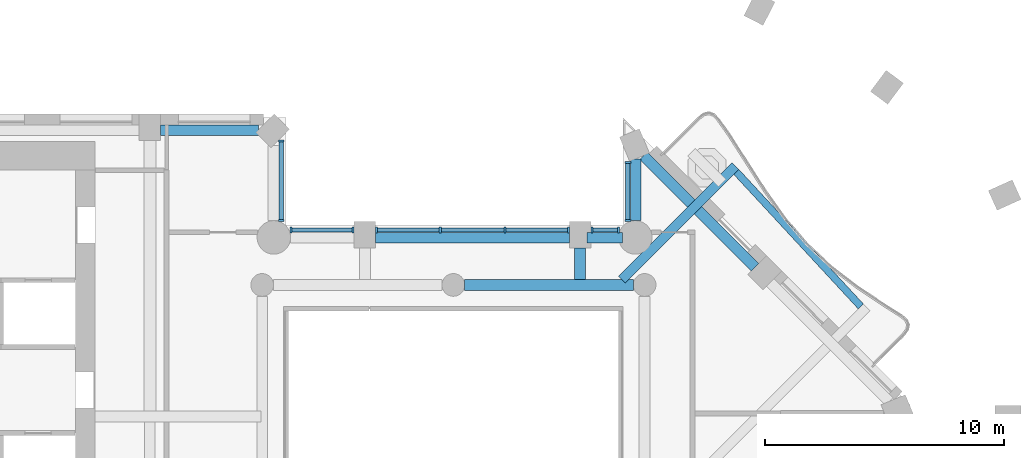
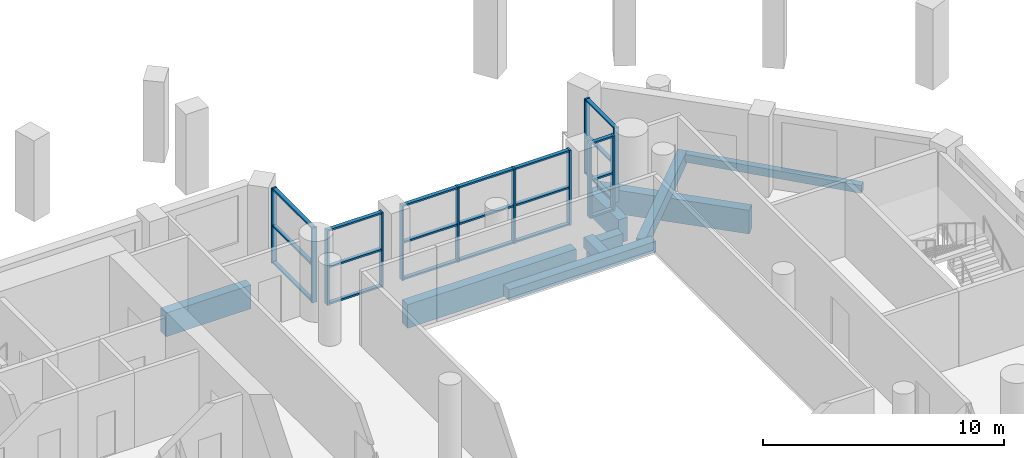
# One storey, part 2 of 15: 33 members, 9 beams, 5 elements without a shape of their own.
"""IFC4 building model written with IfcOpenShell, lengths in metres."""

import ifcopenshell
import ifcopenshell.guid

model = None  # the IFC model being written
_history = None  # IfcOwnerHistory: only IFC2X3 demands one
_inside = {}  # id of a spatial element -> (the spatial element, [elements in it])
_under = {}  # id of a project, library or spatial element -> (it, [spatial elements below it])
_declared = {}  # id of a project -> (the project, [libraries it declares])
_typed = {}  # id of a type object -> (the type object, [elements of that type])
_made_of = {}  # id of a material, layer set ... -> (it, [elements and type objects made of it])


def new_model(schema):
    """Start an empty IFC model of exactly this schema.

    Asked for "IFC4X3", IfcOpenShell would pick the latest addendum, in which some entities
    have other attributes; the version numbers below select the first issue.
    IFC2X3 requires an IfcOwnerHistory on every rooted entity: one is made here for all.
    """
    global model, _history
    if schema == "IFC4X3":
        model = ifcopenshell.file(schema_version=(4, 3, 0, 0))
    else:
        model = ifcopenshell.file(schema=schema)
    _inside.clear()
    _under.clear()
    _declared.clear()
    _typed.clear()
    _made_of.clear()
    _history = None
    if model.schema == "IFC2X3":
        org = make("IfcOrganization", Name="unknown")
        user = make(
            "IfcPersonAndOrganization",
            ThePerson=make("IfcPerson", FamilyName="unknown"),
            TheOrganization=org,
        )
        app = make(
            "IfcApplication",
            ApplicationDeveloper=org,
            Version="unknown",
            ApplicationFullName="unknown",
            ApplicationIdentifier="unknown",
        )
        _history = make(
            "IfcOwnerHistory",
            OwningUser=user,
            OwningApplication=app,
            ChangeAction="ADDED",
            CreationDate=0,
        )
    return model


def make(cls, **values):
    """One entity of the class cls with the attributes given. An attribute that is None is left unset."""
    return model.create_entity(
        cls, **{name: value for name, value in values.items() if value is not None}
    )


def rooted(cls, **values):
    """An entity with a GlobalId (a new one), such as an element, a storey or a relation."""
    return make(cls, GlobalId=ifcopenshell.guid.new(), OwnerHistory=_history, **values)


def si_unit(unit_type, name, prefix=None):
    """IfcSIUnit, for example si_unit("LENGTHUNIT", "METRE", prefix="MILLI")."""
    return make("IfcSIUnit", UnitType=unit_type, Prefix=prefix, Name=name)


def assignment(units):
    """IfcUnitAssignment: the units of a project."""
    return None if units is None else make("IfcUnitAssignment", Units=units)


def point(xyz):
    """IfcCartesianPoint."""
    return None if xyz is None else make("IfcCartesianPoint", Coordinates=xyz)


def direction(xyz):
    """IfcDirection."""
    return None if xyz is None else make("IfcDirection", DirectionRatios=xyz)


def frame(location, z_axis=None, x_axis=None):
    """IfcAxis2Placement3D, a coordinate frame: its origin and axes. An axis left out is left unset."""
    return make(
        "IfcAxis2Placement3D",
        Location=point(location),
        Axis=direction(z_axis),
        RefDirection=direction(x_axis),
    )


def frame_2d(location, x_axis=None):
    """IfcAxis2Placement2D, a coordinate frame in the plane: its origin and x axis."""
    return make(
        "IfcAxis2Placement2D", Location=point(location), RefDirection=direction(x_axis)
    )


def origin():
    """The frame at (0, 0, 0) with its axes left unset."""
    return frame((0.0, 0.0, 0.0))


def origin_2d():
    """The frame at (0, 0) in the plane with its x axis left unset."""
    return frame_2d((0.0, 0.0))


def place(relative_to, where):
    """IfcLocalPlacement: puts the frame where relative to a parent placement (None: the world)."""
    return make(
        "IfcLocalPlacement", PlacementRelTo=relative_to, RelativePlacement=where
    )


def context(
    kind, dimensions, precision=None, world=None, true_north=None, identifier=None
):
    """IfcGeometricRepresentationContext, for example the 3D "Model" context."""
    return make(
        "IfcGeometricRepresentationContext",
        ContextIdentifier=identifier,
        ContextType=kind,
        CoordinateSpaceDimension=dimensions,
        Precision=precision,
        WorldCoordinateSystem=world,
        TrueNorth=true_north,
    )


def subcontext(parent, identifier, kind, view, scale=None):
    """IfcGeometricRepresentationSubContext, for example "Body" below "Model"."""
    return make(
        "IfcGeometricRepresentationSubContext",
        ContextIdentifier=identifier,
        ContextType=kind,
        ParentContext=parent,
        TargetScale=scale,
        TargetView=view,
    )


def project(units=None, contexts=None):
    """IfcProject with its units and contexts."""
    return rooted(
        "IfcProject",
        Name="project",
        RepresentationContexts=contexts,
        UnitsInContext=assignment(units),
    )


def spatial(cls, under=None, at=None, **own):
    """A site, building, storey or space (cls), placed at a placement, below another one or the project."""
    s = rooted(cls, ObjectPlacement=at, **own)
    if under is not None:
        _under.setdefault(under.id(), (under, []))[1].append(s)
    return s


def profile(cls, at=None, kind="AREA", **sizes):
    """A parametric profile (cls). Its sizes go by their IFC names, for example OverallWidth=200.0."""
    return make(cls, ProfileType=kind, Position=at, **sizes)


def rectangle(**sizes):
    """IfcRectangleProfileDef."""
    return profile("IfcRectangleProfileDef", **sizes)


def extrude(swept, where, along, depth):
    """IfcExtrudedAreaSolid: the profile swept, set in the frame where, extruded along a direction by depth."""
    return make(
        "IfcExtrudedAreaSolid",
        SweptArea=swept,
        Position=where,
        ExtrudedDirection=direction(along),
        Depth=depth,
    )


def shape(context_of_items, identifier, shape_type, items):
    """IfcShapeRepresentation: the items that make up one representation, for example the "Body"."""
    return make(
        "IfcShapeRepresentation",
        ContextOfItems=context_of_items,
        RepresentationIdentifier=identifier,
        RepresentationType=shape_type,
        Items=items,
    )


def material(Name=None, Category=None):
    """IfcMaterial."""
    return make("IfcMaterial", Name=Name, Category=Category)


def material_profile(
    of_material, cross_section, Name=None, Category=None, Priority=None
):
    """IfcMaterialProfile: a cross section and its material."""
    return make(
        "IfcMaterialProfile",
        Name=Name,
        Material=of_material,
        Profile=cross_section,
        Priority=Priority,
        Category=Category,
    )


def profile_set(profiles, Name=None, composite=None):
    """IfcMaterialProfileSet."""
    return make(
        "IfcMaterialProfileSet",
        Name=Name,
        MaterialProfiles=profiles,
        CompositeProfile=composite,
    )


def made_of(thing, what):
    """Note that an element or type object is made of a material, layer set ...; save() writes the relation."""
    if what is not None:
        _made_of.setdefault(what.id(), (what, []))[1].append(thing)
    return thing


def type_object(cls, material=None, **own):
    """A type object (cls), such as IfcWallType, which elements share."""
    return made_of(rooted(cls, **own), material)


def element(
    cls,
    number,
    at=None,
    inside=None,
    cuts=None,
    type_object=None,
    material=None,
    context=None,
    identifier="Body",
    shape_type=None,
    held_by="IfcProductDefinitionShape",
    body=None,
    shapes=None,
    **own,
):
    """One element of the class cls, such as IfcWall. Its Tag is "e" and its number.

    at: its placement. inside: the storey or other place that contains it. cuts: it is an
    opening in that element (IfcRelVoidsElement). A single representation is given by context,
    identifier, shape_type and body (its items); several are given by shapes. held_by: the class
    of the entity that holds the representations. save() writes the other relations.
    """
    e = rooted(cls, Tag="e%d" % number, ObjectPlacement=at, **own)
    if body is not None:
        shapes = [shape(context, identifier, shape_type, body)]
    if shapes is not None:
        e.Representation = make(held_by, Representations=shapes)
    if inside is not None:
        _inside.setdefault(inside.id(), (inside, []))[1].append(e)
    if cuts is not None:
        rooted(
            "IfcRelVoidsElement", RelatingBuildingElement=cuts, RelatedOpeningElement=e
        )
    if type_object is not None:
        _typed.setdefault(type_object.id(), (type_object, []))[1].append(e)
    return made_of(e, material)


def aggregate(whole, parts):
    """IfcRelAggregates: a whole, such as a stair, and the parts it consists of."""
    return rooted("IfcRelAggregates", RelatingObject=whole, RelatedObjects=parts)


def save(model, path):
    """Write the relations noted so far, then the file.

    IfcRelAggregates (storeys below a building ...), IfcRelContainedInSpatialStructure (elements
    in a storey), IfcRelDefinesByType, IfcRelAssociatesMaterial and IfcRelDeclares: one each for
    every whole, place, type object, material and project.
    """
    for whole, parts in _under.values():
        aggregate(whole, parts)
    for where, things in _inside.values():
        rooted(
            "IfcRelContainedInSpatialStructure",
            RelatedElements=things,
            RelatingStructure=where,
        )
    for kind, things in _typed.values():
        rooted("IfcRelDefinesByType", RelatedObjects=things, RelatingType=kind)
    for what, things in _made_of.values():
        rooted("IfcRelAssociatesMaterial", RelatedObjects=things, RelatingMaterial=what)
    for by, libraries in _declared.values():
        rooted("IfcRelDeclares", RelatingContext=by, RelatedDefinitions=libraries)
    model.write(path)


model = new_model("IFC4")

# Units and contexts
model_context = context("Model", 3, precision=1e-05, world=origin(), true_north=direction((0.0, 1.0)))
body_context = subcontext(model_context, "Body", "Model", "MODEL_VIEW")
ifc_project = project(units=[si_unit("LENGTHUNIT", "METRE"), si_unit("AREAUNIT", "SQUARE_METRE"), si_unit("VOLUMEUNIT", "CUBIC_METRE"), si_unit("PLANEANGLEUNIT", "RADIAN"), si_unit("MASSUNIT", "GRAM", prefix="KILO")], contexts=[model_context])

# Site, building, storey
site_placement = place(None, origin())
site = spatial("IfcSite", under=ifc_project, at=site_placement, CompositionType="ELEMENT")
building_placement = place(site_placement, origin())
building = spatial("IfcBuilding", under=site, at=building_placement, Name="Cypress Arch Tower", CompositionType="ELEMENT")
storey_placement = place(building_placement, frame((0.0, 0.0, 176.89990234375)))
storey = spatial("IfcBuildingStorey", under=building, at=storey_placement, Name="L38", CompositionType="ELEMENT", Elevation=176.89990234375)

# Beams
ifc_material_1 = material(Name="Concrete C50/60", Category="concrete")
ifc_material_profile_1 = material_profile(ifc_material_1, rectangle(XDim=0.300048828125, YDim=0.39990234375, at=origin_2d()), Name="RC 300x400")
ifc_profile_set_1 = profile_set([ifc_material_profile_1], Name="Concrete C50/60")
beam_type_1 = type_object("IfcBeamType", Name="Balcony edge beam RC 300x400 Concrete C50/60", PredefinedType="BEAM", material=ifc_profile_set_1)
beam_1_placement = place(storey_placement, frame((18.0439453125, 9.1025390625, -0.5), z_axis=(-0.679437876495, 0.733733038635, 0.0), x_axis=(-0.733733038635, -0.679437876495, 0.0)))
element("IfcBeam", 1, at=beam_1_placement, inside=storey, type_object=beam_type_1, Name="Balcony edge beam L38 B05", PredefinedType="BEAM", context=body_context, shape_type="SweptSolid", body=[
    extrude(rectangle(XDim=0.300048828125, YDim=0.39990234375, at=origin_2d()), origin(), (0.0, 0.0, 1.0), 7.66650390625),
])
ifc_material_2 = material(Name="Concrete C50/60", Category="concrete")
ifc_material_profile_2 = material_profile(ifc_material_2, rectangle(XDim=0.39990234375, YDim=0.64990234375, at=origin_2d()), Name="RC 400x650")
ifc_profile_set_2 = profile_set([ifc_material_profile_2], Name="Concrete C50/60")
beam_type_2 = type_object("IfcBeamType", Name="Cantilever beam RC 400x650 Concrete C50/60", PredefinedType="BEAM", material=ifc_profile_set_2)
beam_2_placement = place(storey_placement, frame((8.04931640625, 10.22509765625, -0.625), z_axis=(0.707106781187, 0.707106781187, 0.0), x_axis=(-0.707106781187, 0.707106781187, 0.0)))
element("IfcBeam", 2, at=beam_2_placement, inside=storey, type_object=beam_type_2, Name="Cantilever beam L38 B05 2", PredefinedType="BEAM", context=body_context, shape_type="SweptSolid", body=[
    extrude(rectangle(XDim=0.39990234375, YDim=0.64990234375, at=origin_2d()), origin(), (0.0, 0.0, 1.0), 6.7177734375),
])
ifc_material_3 = material(Name="Concrete C50/60", Category="concrete")
ifc_material_profile_3 = material_profile(ifc_material_3, rectangle(XDim=0.449951171875, YDim=0.550048828125, at=origin_2d()), Name="RC 450x550")
ifc_profile_set_3 = profile_set([ifc_material_profile_3], Name="Concrete C50/60")
beam_type_3 = type_object("IfcBeamType", Name="Floor beam RC 450x550 Concrete C50/60", PredefinedType="BEAM", material=ifc_profile_set_3)
beam_3_placement = place(storey_placement, frame((1.47509765625, 10.0, -0.574951171875), z_axis=(1.0, 0.0, 0.0), x_axis=(0.0, 1.0, 0.0)))
element("IfcBeam", 3, at=beam_3_placement, inside=storey, type_object=beam_type_3, Name="Floor beam L38 RB008", PredefinedType="BEAM", context=body_context, shape_type="SweptSolid", body=[
    extrude(rectangle(XDim=0.449951171875, YDim=0.550048828125, at=origin_2d()), origin(), (0.0, 0.0, 1.0), 7.0498046875),
])
beam_4_placement = place(storey_placement, frame((6.300048828125, 10.22509765625, -0.574951171875), z_axis=(0.0, 1.0, 0.0), x_axis=(-1.0, 0.0, 0.0)))
element("IfcBeam", 4, at=beam_4_placement, inside=storey, type_object=beam_type_3, Name="Floor beam L38 FB017", PredefinedType="BEAM", context=body_context, shape_type="SweptSolid", body=[
    extrude(rectangle(XDim=0.449951171875, YDim=0.550048828125, at=origin_2d()), origin(), (0.0, 0.0, 1.0), 1.324951171875),
])

# Curtain wall, members
ifc_material_4 = material(Name="Anodised aluminium, bronze finish, clear laminated double glazing", Category="aluminium")
curtain_wall_type = type_object("IfcCurtainWallType", Name="Curtain wall CW7 slot glazing", PredefinedType="NOTDEFINED", material=ifc_material_4)
curtain_wall_1_placement = place(storey_placement, origin())
curtain_wall_1 = element("IfcCurtainWall", 5, at=curtain_wall_1_placement, inside=storey, type_object=curtain_wall_type, Name="Curtain wall L38 slot B06.0", PredefinedType="NOTDEFINED")
ifc_material_5 = material(Name="Anodised aluminium, bronze finish", Category="aluminium")
ifc_material_profile_4 = material_profile(ifc_material_5, rectangle(XDim=0.239990234375, YDim=0.0849609375, at=origin_2d()), Name="Mullion 85x240")
ifc_profile_set_4 = profile_set([ifc_material_profile_4], Name="Anodised aluminium, bronze finish")
member_type_1 = type_object("IfcMemberType", Name="Mullion CW7 85x240", PredefinedType="MULLION", material=ifc_profile_set_4)
member_1_placement = place(storey_placement, frame((8.300048828125, 15.12744140625, 0.0), z_axis=(0.0, 0.0, 1.0), x_axis=(1.0, 0.0, 0.0)))
member_1 = element("IfcMember", 6, at=member_1_placement, type_object=member_type_1, Name="CW7 mullion 1", PredefinedType="MULLION", context=body_context, shape_type="SweptSolid", body=[
    extrude(rectangle(XDim=0.239990234375, YDim=0.0849609375, at=origin_2d()), origin(), (0.0, 0.0, 1.0), 3.800048828125),
])
member_2_placement = place(storey_placement, frame((8.300048828125, 12.697021484375, 0.0), z_axis=(0.0, 0.0, 1.0), x_axis=(1.0, 0.0, 0.0)))
member_2 = element("IfcMember", 7, at=member_2_placement, type_object=member_type_1, Name="CW7 mullion 2", PredefinedType="MULLION", context=body_context, shape_type="SweptSolid", body=[
    extrude(rectangle(XDim=0.239990234375, YDim=0.0849609375, at=origin_2d()), origin(), (0.0, 0.0, 1.0), 3.800048828125),
])

curtain_wall_2_placement = place(storey_placement, origin())
curtain_wall_2 = element("IfcCurtainWall", 8, at=curtain_wall_2_placement, inside=storey, type_object=curtain_wall_type, Name="Curtain wall L38 slot B07.0", PredefinedType="NOTDEFINED")
member_3_placement = place(storey_placement, frame((7.903076171875, 12.300048828125, 0.0), z_axis=(0.0, 0.0, 1.0), x_axis=(0.0, -1.0, 0.0)))
member_3 = element("IfcMember", 9, at=member_3_placement, type_object=member_type_1, Name="CW7 mullion 1", PredefinedType="MULLION", context=body_context, shape_type="SweptSolid", body=[
    extrude(rectangle(XDim=0.239990234375, YDim=0.0849609375, at=origin_2d()), origin(), (0.0, 0.0, 1.0), 3.800048828125),
])
member_4_placement = place(storey_placement, frame((6.79248046875, 12.300048828125, 0.0), z_axis=(0.0, 0.0, 1.0), x_axis=(0.0, -1.0, 0.0)))
member_4 = element("IfcMember", 10, at=member_4_placement, type_object=member_type_1, Name="CW7 mullion 2", PredefinedType="MULLION", context=body_context, shape_type="SweptSolid", body=[
    extrude(rectangle(XDim=0.239990234375, YDim=0.0849609375, at=origin_2d()), origin(), (0.0, 0.0, 1.0), 3.800048828125),
])

curtain_wall_3_placement = place(storey_placement, origin())
curtain_wall_3 = element("IfcCurtainWall", 11, at=curtain_wall_3_placement, inside=storey, type_object=curtain_wall_type, Name="Curtain wall L38 slot B07.1", PredefinedType="NOTDEFINED")
member_5_placement = place(storey_placement, frame((5.8076171875, 12.300048828125, 0.0), z_axis=(0.0, 0.0, 1.0), x_axis=(0.0, -1.0, 0.0)))
member_5 = element("IfcMember", 12, at=member_5_placement, type_object=member_type_1, Name="CW7 mullion 1", PredefinedType="MULLION", context=body_context, shape_type="SweptSolid", body=[
    extrude(rectangle(XDim=0.239990234375, YDim=0.0849609375, at=origin_2d()), origin(), (0.0, 0.0, 1.0), 3.800048828125),
])
member_6_placement = place(storey_placement, frame((3.14990234375, 12.300048828125, 0.0), z_axis=(0.0, 0.0, 1.0), x_axis=(0.0, -1.0, 0.0)))
member_6 = element("IfcMember", 13, at=member_6_placement, type_object=member_type_1, Name="CW7 mullion 2", PredefinedType="MULLION", context=body_context, shape_type="SweptSolid", body=[
    extrude(rectangle(XDim=0.239990234375, YDim=0.0849609375, at=origin_2d()), origin(), (0.0, 0.0, 1.0), 3.800048828125),
])
member_7_placement = place(storey_placement, frame((0.449951171875, 12.300048828125, 0.0), z_axis=(0.0, 0.0, 1.0), x_axis=(0.0, -1.0, 0.0)))
member_7 = element("IfcMember", 14, at=member_7_placement, type_object=member_type_1, Name="CW7 mullion 3", PredefinedType="MULLION", context=body_context, shape_type="SweptSolid", body=[
    extrude(rectangle(XDim=0.239990234375, YDim=0.0849609375, at=origin_2d()), origin(), (0.0, 0.0, 1.0), 3.800048828125),
])
member_8_placement = place(storey_placement, frame((-2.20751953125, 12.300048828125, 0.0), z_axis=(0.0, 0.0, 1.0), x_axis=(0.0, -1.0, 0.0)))
member_8 = element("IfcMember", 15, at=member_8_placement, type_object=member_type_1, Name="CW7 mullion 4", PredefinedType="MULLION", context=body_context, shape_type="SweptSolid", body=[
    extrude(rectangle(XDim=0.239990234375, YDim=0.0849609375, at=origin_2d()), origin(), (0.0, 0.0, 1.0), 3.800048828125),
])

curtain_wall_4_placement = place(storey_placement, origin())
curtain_wall_4 = element("IfcCurtainWall", 16, at=curtain_wall_4_placement, inside=storey, type_object=curtain_wall_type, Name="Curtain wall L38 slot B07.2", PredefinedType="NOTDEFINED")
member_9_placement = place(storey_placement, frame((-3.1923828125, 12.300048828125, 0.0), z_axis=(0.0, 0.0, 1.0), x_axis=(0.0, -1.0, 0.0)))
member_9 = element("IfcMember", 17, at=member_9_placement, type_object=member_type_1, Name="CW7 mullion 1", PredefinedType="MULLION", context=body_context, shape_type="SweptSolid", body=[
    extrude(rectangle(XDim=0.239990234375, YDim=0.0849609375, at=origin_2d()), origin(), (0.0, 0.0, 1.0), 3.800048828125),
])
member_10_placement = place(storey_placement, frame((-5.802978515625, 12.300048828125, 0.0), z_axis=(0.0, 0.0, 1.0), x_axis=(0.0, -1.0, 0.0)))
member_10 = element("IfcMember", 18, at=member_10_placement, type_object=member_type_1, Name="CW7 mullion 2", PredefinedType="MULLION", context=body_context, shape_type="SweptSolid", body=[
    extrude(rectangle(XDim=0.239990234375, YDim=0.0849609375, at=origin_2d()), origin(), (0.0, 0.0, 1.0), 3.800048828125),
])

curtain_wall_5_placement = place(storey_placement, origin())
curtain_wall_5 = element("IfcCurtainWall", 19, at=curtain_wall_5_placement, inside=storey, type_object=curtain_wall_type, Name="Curtain wall L38 slot B08.0", PredefinedType="NOTDEFINED")
member_11_placement = place(storey_placement, frame((-6.199951171875, 12.697021484375, 0.0), z_axis=(0.0, 0.0, 1.0), x_axis=(-1.0, 0.0, 0.0)))
member_11 = element("IfcMember", 20, at=member_11_placement, type_object=member_type_1, Name="CW7 mullion 1", PredefinedType="MULLION", context=body_context, shape_type="SweptSolid", body=[
    extrude(rectangle(XDim=0.239990234375, YDim=0.0849609375, at=origin_2d()), origin(), (0.0, 0.0, 1.0), 3.800048828125),
])
member_12_placement = place(storey_placement, frame((-6.199951171875, 16.02099609375, 0.0), z_axis=(0.0, 0.0, 1.0), x_axis=(-1.0, 0.0, 0.0)))
member_12 = element("IfcMember", 21, at=member_12_placement, type_object=member_type_1, Name="CW7 mullion 2", PredefinedType="MULLION", context=body_context, shape_type="SweptSolid", body=[
    extrude(rectangle(XDim=0.239990234375, YDim=0.0849609375, at=origin_2d()), origin(), (0.0, 0.0, 1.0), 3.800048828125),
])

# Beams
ifc_material_6 = material(Name="Concrete C50/60", Category="concrete")
ifc_material_profile_5 = material_profile(ifc_material_6, rectangle(XDim=0.449951171875, YDim=1.199951171875, at=origin_2d()), Name="RC 450x1200")
ifc_profile_set_5 = profile_set([ifc_material_profile_5], Name="Concrete C50/60")
beam_type_4 = type_object("IfcBeamType", Name="Spandrel beam RC 450x1200 Concrete C50/60", PredefinedType="SPANDREL", material=ifc_profile_set_5)
beam_5_placement = place(storey_placement, frame((13.622802734375, 10.73486328125, -1.5498046875), z_axis=(-0.707106781187, 0.707106781187, 0.0), x_axis=(-0.707106781187, -0.707106781187, 0.0)))
element("IfcBeam", 22, at=beam_5_placement, inside=storey, type_object=beam_type_4, Name="Spandrel beam L38 BB05-1", PredefinedType="SPANDREL", context=body_context, shape_type="SweptSolid", body=[
    extrude(rectangle(XDim=0.449951171875, YDim=1.199951171875, at=origin_2d()), origin(), (0.0, 0.0, 1.0), 6.610595703125),
])
beam_6_placement = place(storey_placement, frame((8.625, 15.275146484375, -1.5498046875), z_axis=(0.0, -1.0, 0.0), x_axis=(1.0, 0.0, 0.0)))
element("IfcBeam", 23, at=beam_6_placement, inside=storey, type_object=beam_type_4, Name="Spandrel beam L38 BB06-0", PredefinedType="SPANDREL", context=body_context, shape_type="SweptSolid", body=[
    extrude(rectangle(XDim=0.449951171875, YDim=1.199951171875, at=origin_2d()), origin(), (0.0, 0.0, 1.0), 2.587646484375),
])
beam_7_placement = place(storey_placement, frame((8.081298828125, 11.97509765625, -1.5498046875), z_axis=(-1.0, 0.0, 0.0), x_axis=(0.0, -1.0, 0.0)))
element("IfcBeam", 24, at=beam_7_placement, inside=storey, type_object=beam_type_4, Name="Spandrel beam L38 BB07-0", PredefinedType="SPANDREL", context=body_context, shape_type="SweptSolid", body=[
    extrude(rectangle(XDim=0.449951171875, YDim=1.199951171875, at=origin_2d()), origin(), (0.0, 0.0, 1.0), 1.5),
])
beam_8_placement = place(storey_placement, frame((5.85009765625, 11.97509765625, -1.5498046875), z_axis=(-1.0, 0.0, 0.0), x_axis=(0.0, -1.0, 0.0)))
element("IfcBeam", 25, at=beam_8_placement, inside=storey, type_object=beam_type_4, Name="Spandrel beam L38 BB07-1", PredefinedType="SPANDREL", context=body_context, shape_type="SweptSolid", body=[
    extrude(rectangle(XDim=0.449951171875, YDim=1.199951171875, at=origin_2d()), origin(), (0.0, 0.0, 1.0), 8.10009765625),
])
beam_9_placement = place(storey_placement, frame((-7.161376953125, 16.47509765625, -1.5498046875), z_axis=(-1.0, 0.0, 0.0), x_axis=(0.0, -1.0, 0.0)))
element("IfcBeam", 26, at=beam_9_placement, inside=storey, type_object=beam_type_4, Name="Spandrel beam L38 BB09-0", PredefinedType="SPANDREL", context=body_context, shape_type="SweptSolid", body=[
    extrude(rectangle(XDim=0.449951171875, YDim=1.199951171875, at=origin_2d()), origin(), (0.0, 0.0, 1.0), 4.088623046875),
])

# Member
ifc_material_7 = material(Name="Anodised aluminium, bronze finish", Category="aluminium")
ifc_material_profile_6 = material_profile(ifc_material_7, rectangle(XDim=0.179931640625, YDim=0.0849609375, at=origin_2d()), Name="Transom 85x180")
ifc_profile_set_6 = profile_set([ifc_material_profile_6], Name="Anodised aluminium, bronze finish")
member_type_2 = type_object("IfcMemberType", Name="Transom CW7 85x180", PredefinedType="USERDEFINED", material=ifc_profile_set_6)
member_13_placement = place(storey_placement, frame((8.300048828125, 15.0849609375, 0.04248046875), z_axis=(0.0, -1.0, 0.0), x_axis=(1.0, 0.0, 0.0)))
member_13 = element("IfcMember", 27, at=member_13_placement, type_object=member_type_2, Name="CW7 transom 1.1", ObjectType="TRANSOM", PredefinedType="USERDEFINED", context=body_context, shape_type="SweptSolid", body=[
    extrude(rectangle(XDim=0.179931640625, YDim=0.0849609375, at=origin_2d()), origin(), (0.0, 0.0, 1.0), 2.345458984375),
])

member_14_placement = place(storey_placement, frame((8.300048828125, 15.0849609375, 1.900146484375), z_axis=(0.0, -1.0, 0.0), x_axis=(1.0, 0.0, 0.0)))
member_14 = element("IfcMember", 28, at=member_14_placement, type_object=member_type_2, Name="CW7 transom 1.2", ObjectType="TRANSOM", PredefinedType="USERDEFINED", context=body_context, shape_type="SweptSolid", body=[
    extrude(rectangle(XDim=0.179931640625, YDim=0.0849609375, at=origin_2d()), origin(), (0.0, 0.0, 1.0), 2.345458984375),
])

member_15_placement = place(storey_placement, frame((8.300048828125, 15.0849609375, 3.757568359375), z_axis=(0.0, -1.0, 0.0), x_axis=(1.0, 0.0, 0.0)))
member_15 = element("IfcMember", 29, at=member_15_placement, type_object=member_type_2, Name="CW7 transom 1.3", ObjectType="TRANSOM", PredefinedType="USERDEFINED", context=body_context, shape_type="SweptSolid", body=[
    extrude(rectangle(XDim=0.179931640625, YDim=0.0849609375, at=origin_2d()), origin(), (0.0, 0.0, 1.0), 2.345458984375),
])

aggregate(curtain_wall_1, [member_1, member_2, member_13, member_14, member_15])

member_16_placement = place(storey_placement, frame((7.8603515625, 12.300048828125, 0.04248046875), z_axis=(-1.0, 0.0, 0.0), x_axis=(0.0, -1.0, 0.0)))
member_16 = element("IfcMember", 30, at=member_16_placement, type_object=member_type_2, Name="CW7 transom 1.1", ObjectType="TRANSOM", PredefinedType="USERDEFINED", context=body_context, shape_type="SweptSolid", body=[
    extrude(rectangle(XDim=0.179931640625, YDim=0.0849609375, at=origin_2d()), origin(), (0.0, 0.0, 1.0), 1.025390625),
])

member_17_placement = place(storey_placement, frame((7.8603515625, 12.300048828125, 1.900146484375), z_axis=(-1.0, 0.0, 0.0), x_axis=(0.0, -1.0, 0.0)))
member_17 = element("IfcMember", 31, at=member_17_placement, type_object=member_type_2, Name="CW7 transom 1.2", ObjectType="TRANSOM", PredefinedType="USERDEFINED", context=body_context, shape_type="SweptSolid", body=[
    extrude(rectangle(XDim=0.179931640625, YDim=0.0849609375, at=origin_2d()), origin(), (0.0, 0.0, 1.0), 1.025390625),
])

member_18_placement = place(storey_placement, frame((7.8603515625, 12.300048828125, 3.757568359375), z_axis=(-1.0, 0.0, 0.0), x_axis=(0.0, -1.0, 0.0)))
member_18 = element("IfcMember", 32, at=member_18_placement, type_object=member_type_2, Name="CW7 transom 1.3", ObjectType="TRANSOM", PredefinedType="USERDEFINED", context=body_context, shape_type="SweptSolid", body=[
    extrude(rectangle(XDim=0.179931640625, YDim=0.0849609375, at=origin_2d()), origin(), (0.0, 0.0, 1.0), 1.025390625),
])

aggregate(curtain_wall_2, [member_3, member_4, member_16, member_17, member_18])

member_19_placement = place(storey_placement, frame((5.764892578125, 12.300048828125, 0.04248046875), z_axis=(-1.0, 0.0, 0.0), x_axis=(0.0, -1.0, 0.0)))
member_19 = element("IfcMember", 33, at=member_19_placement, type_object=member_type_2, Name="CW7 transom 1.1", ObjectType="TRANSOM", PredefinedType="USERDEFINED", context=body_context, shape_type="SweptSolid", body=[
    extrude(rectangle(XDim=0.179931640625, YDim=0.0849609375, at=origin_2d()), origin(), (0.0, 0.0, 1.0), 2.572509765625),
])

member_20_placement = place(storey_placement, frame((5.764892578125, 12.300048828125, 1.900146484375), z_axis=(-1.0, 0.0, 0.0), x_axis=(0.0, -1.0, 0.0)))
member_20 = element("IfcMember", 34, at=member_20_placement, type_object=member_type_2, Name="CW7 transom 1.2", ObjectType="TRANSOM", PredefinedType="USERDEFINED", context=body_context, shape_type="SweptSolid", body=[
    extrude(rectangle(XDim=0.179931640625, YDim=0.0849609375, at=origin_2d()), origin(), (0.0, 0.0, 1.0), 2.572509765625),
])

member_21_placement = place(storey_placement, frame((5.764892578125, 12.300048828125, 3.757568359375), z_axis=(-1.0, 0.0, 0.0), x_axis=(0.0, -1.0, 0.0)))
member_21 = element("IfcMember", 35, at=member_21_placement, type_object=member_type_2, Name="CW7 transom 1.3", ObjectType="TRANSOM", PredefinedType="USERDEFINED", context=body_context, shape_type="SweptSolid", body=[
    extrude(rectangle(XDim=0.179931640625, YDim=0.0849609375, at=origin_2d()), origin(), (0.0, 0.0, 1.0), 2.572509765625),
])

member_22_placement = place(storey_placement, frame((3.107421875, 12.300048828125, 0.04248046875), z_axis=(-1.0, 0.0, 0.0), x_axis=(0.0, -1.0, 0.0)))
member_22 = element("IfcMember", 36, at=member_22_placement, type_object=member_type_2, Name="CW7 transom 2.1", ObjectType="TRANSOM", PredefinedType="USERDEFINED", context=body_context, shape_type="SweptSolid", body=[
    extrude(rectangle(XDim=0.179931640625, YDim=0.0849609375, at=origin_2d()), origin(), (0.0, 0.0, 1.0), 2.614990234375),
])

member_23_placement = place(storey_placement, frame((3.107421875, 12.300048828125, 1.900146484375), z_axis=(-1.0, 0.0, 0.0), x_axis=(0.0, -1.0, 0.0)))
member_23 = element("IfcMember", 37, at=member_23_placement, type_object=member_type_2, Name="CW7 transom 2.2", ObjectType="TRANSOM", PredefinedType="USERDEFINED", context=body_context, shape_type="SweptSolid", body=[
    extrude(rectangle(XDim=0.179931640625, YDim=0.0849609375, at=origin_2d()), origin(), (0.0, 0.0, 1.0), 2.614990234375),
])

member_24_placement = place(storey_placement, frame((3.107421875, 12.300048828125, 3.757568359375), z_axis=(-1.0, 0.0, 0.0), x_axis=(0.0, -1.0, 0.0)))
member_24 = element("IfcMember", 38, at=member_24_placement, type_object=member_type_2, Name="CW7 transom 2.3", ObjectType="TRANSOM", PredefinedType="USERDEFINED", context=body_context, shape_type="SweptSolid", body=[
    extrude(rectangle(XDim=0.179931640625, YDim=0.0849609375, at=origin_2d()), origin(), (0.0, 0.0, 1.0), 2.614990234375),
])

member_25_placement = place(storey_placement, frame((0.407470703125, 12.300048828125, 0.04248046875), z_axis=(-1.0, 0.0, 0.0), x_axis=(0.0, -1.0, 0.0)))
member_25 = element("IfcMember", 39, at=member_25_placement, type_object=member_type_2, Name="CW7 transom 3.1", ObjectType="TRANSOM", PredefinedType="USERDEFINED", context=body_context, shape_type="SweptSolid", body=[
    extrude(rectangle(XDim=0.179931640625, YDim=0.0849609375, at=origin_2d()), origin(), (0.0, 0.0, 1.0), 2.572509765625),
])

member_26_placement = place(storey_placement, frame((0.407470703125, 12.300048828125, 1.900146484375), z_axis=(-1.0, 0.0, 0.0), x_axis=(0.0, -1.0, 0.0)))
member_26 = element("IfcMember", 40, at=member_26_placement, type_object=member_type_2, Name="CW7 transom 3.2", ObjectType="TRANSOM", PredefinedType="USERDEFINED", context=body_context, shape_type="SweptSolid", body=[
    extrude(rectangle(XDim=0.179931640625, YDim=0.0849609375, at=origin_2d()), origin(), (0.0, 0.0, 1.0), 2.572509765625),
])

member_27_placement = place(storey_placement, frame((0.407470703125, 12.300048828125, 3.757568359375), z_axis=(-1.0, 0.0, 0.0), x_axis=(0.0, -1.0, 0.0)))
member_27 = element("IfcMember", 41, at=member_27_placement, type_object=member_type_2, Name="CW7 transom 3.3", ObjectType="TRANSOM", PredefinedType="USERDEFINED", context=body_context, shape_type="SweptSolid", body=[
    extrude(rectangle(XDim=0.179931640625, YDim=0.0849609375, at=origin_2d()), origin(), (0.0, 0.0, 1.0), 2.572509765625),
])

aggregate(curtain_wall_3, [member_5, member_6, member_7, member_8, member_19, member_20, member_21, member_22, member_23, member_24, member_25, member_26, member_27])

member_28_placement = place(storey_placement, frame((-3.235107421875, 12.300048828125, 0.04248046875), z_axis=(-1.0, 0.0, 0.0), x_axis=(0.0, -1.0, 0.0)))
member_28 = element("IfcMember", 42, at=member_28_placement, type_object=member_type_2, Name="CW7 transom 1.1", ObjectType="TRANSOM", PredefinedType="USERDEFINED", context=body_context, shape_type="SweptSolid", body=[
    extrude(rectangle(XDim=0.179931640625, YDim=0.0849609375, at=origin_2d()), origin(), (0.0, 0.0, 1.0), 2.525390625),
])

member_29_placement = place(storey_placement, frame((-3.235107421875, 12.300048828125, 1.900146484375), z_axis=(-1.0, 0.0, 0.0), x_axis=(0.0, -1.0, 0.0)))
member_29 = element("IfcMember", 43, at=member_29_placement, type_object=member_type_2, Name="CW7 transom 1.2", ObjectType="TRANSOM", PredefinedType="USERDEFINED", context=body_context, shape_type="SweptSolid", body=[
    extrude(rectangle(XDim=0.179931640625, YDim=0.0849609375, at=origin_2d()), origin(), (0.0, 0.0, 1.0), 2.525390625),
])

member_30_placement = place(storey_placement, frame((-3.235107421875, 12.300048828125, 3.757568359375), z_axis=(-1.0, 0.0, 0.0), x_axis=(0.0, -1.0, 0.0)))
member_30 = element("IfcMember", 44, at=member_30_placement, type_object=member_type_2, Name="CW7 transom 1.3", ObjectType="TRANSOM", PredefinedType="USERDEFINED", context=body_context, shape_type="SweptSolid", body=[
    extrude(rectangle(XDim=0.179931640625, YDim=0.0849609375, at=origin_2d()), origin(), (0.0, 0.0, 1.0), 2.525390625),
])

aggregate(curtain_wall_4, [member_9, member_10, member_28, member_29, member_30])

member_31_placement = place(storey_placement, frame((-6.199951171875, 12.739501953125, 0.04248046875), z_axis=(0.0, 1.0, 0.0), x_axis=(-1.0, 0.0, 0.0)))
member_31 = element("IfcMember", 45, at=member_31_placement, type_object=member_type_2, Name="CW7 transom 1.1", ObjectType="TRANSOM", PredefinedType="USERDEFINED", context=body_context, shape_type="SweptSolid", body=[
    extrude(rectangle(XDim=0.179931640625, YDim=0.0849609375, at=origin_2d()), origin(), (0.0, 0.0, 1.0), 3.239013671875),
])

member_32_placement = place(storey_placement, frame((-6.199951171875, 12.739501953125, 1.900146484375), z_axis=(0.0, 1.0, 0.0), x_axis=(-1.0, 0.0, 0.0)))
member_32 = element("IfcMember", 46, at=member_32_placement, type_object=member_type_2, Name="CW7 transom 1.2", ObjectType="TRANSOM", PredefinedType="USERDEFINED", context=body_context, shape_type="SweptSolid", body=[
    extrude(rectangle(XDim=0.179931640625, YDim=0.0849609375, at=origin_2d()), origin(), (0.0, 0.0, 1.0), 3.239013671875),
])

member_33_placement = place(storey_placement, frame((-6.199951171875, 12.739501953125, 3.757568359375), z_axis=(0.0, 1.0, 0.0), x_axis=(-1.0, 0.0, 0.0)))
member_33 = element("IfcMember", 47, at=member_33_placement, type_object=member_type_2, Name="CW7 transom 1.3", ObjectType="TRANSOM", PredefinedType="USERDEFINED", context=body_context, shape_type="SweptSolid", body=[
    extrude(rectangle(XDim=0.179931640625, YDim=0.0849609375, at=origin_2d()), origin(), (0.0, 0.0, 1.0), 3.239013671875),
])

aggregate(curtain_wall_5, [member_11, member_12, member_31, member_32, member_33])

save(model, "model.ifc")
